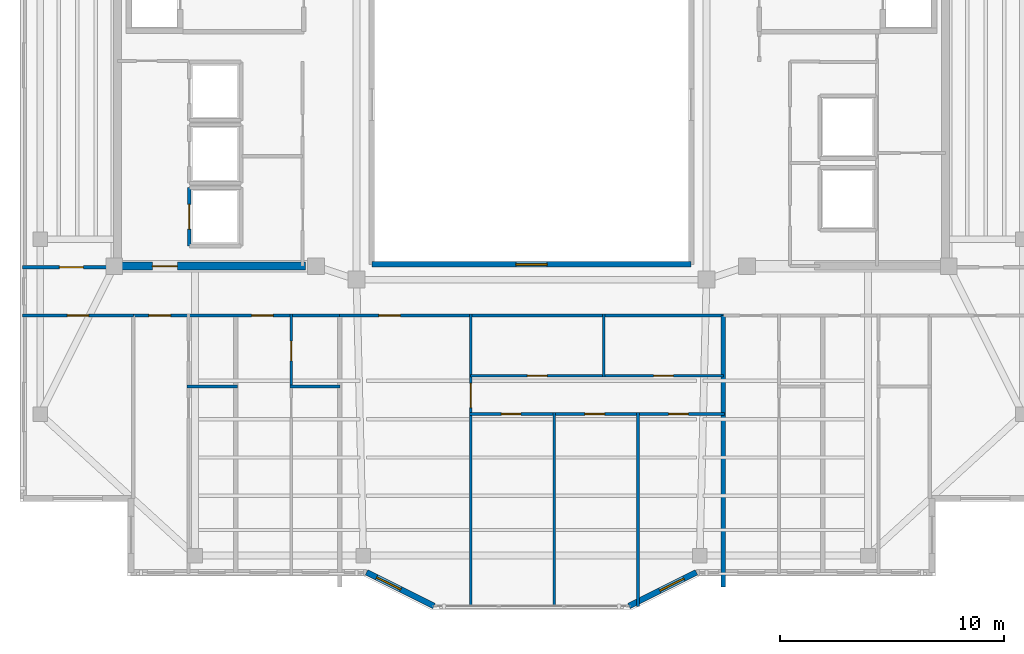
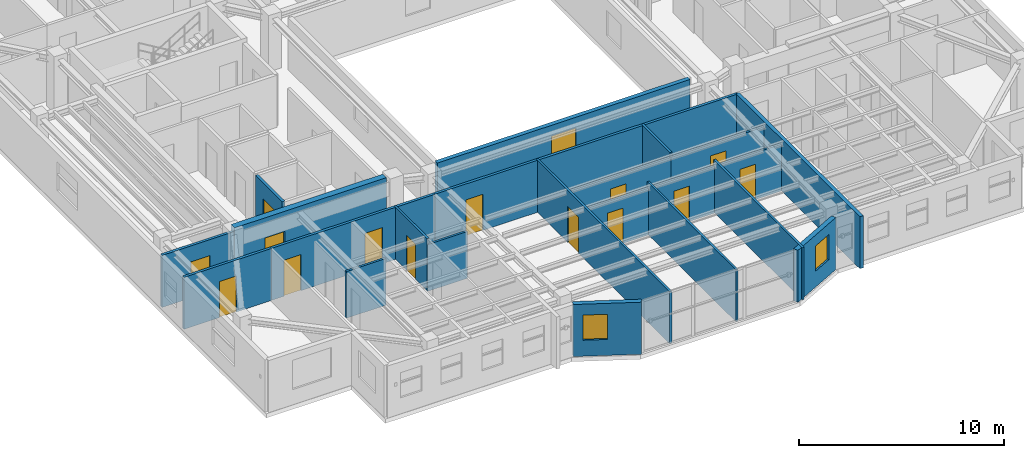
# One storey, part 6 of 14: 20 walls, 14 doors, 3 windows, 17 openings.
"""IFC4 building model written with IfcOpenShell, lengths in metres."""

import ifcopenshell
import ifcopenshell.guid

model = None  # the IFC model being written
_history = None  # IfcOwnerHistory: only IFC2X3 demands one
_inside = {}  # id of a spatial element -> (the spatial element, [elements in it])
_under = {}  # id of a project, library or spatial element -> (it, [spatial elements below it])
_declared = {}  # id of a project -> (the project, [libraries it declares])
_typed = {}  # id of a type object -> (the type object, [elements of that type])
_made_of = {}  # id of a material, layer set ... -> (it, [elements and type objects made of it])


def new_model(schema):
    """Start an empty IFC model of exactly this schema.

    Asked for "IFC4X3", IfcOpenShell would pick the latest addendum, in which some entities
    have other attributes; the version numbers below select the first issue.
    IFC2X3 requires an IfcOwnerHistory on every rooted entity: one is made here for all.
    """
    global model, _history
    if schema == "IFC4X3":
        model = ifcopenshell.file(schema_version=(4, 3, 0, 0))
    else:
        model = ifcopenshell.file(schema=schema)
    _inside.clear()
    _under.clear()
    _declared.clear()
    _typed.clear()
    _made_of.clear()
    _history = None
    if model.schema == "IFC2X3":
        org = make("IfcOrganization", Name="unknown")
        user = make(
            "IfcPersonAndOrganization",
            ThePerson=make("IfcPerson", FamilyName="unknown"),
            TheOrganization=org,
        )
        app = make(
            "IfcApplication",
            ApplicationDeveloper=org,
            Version="unknown",
            ApplicationFullName="unknown",
            ApplicationIdentifier="unknown",
        )
        _history = make(
            "IfcOwnerHistory",
            OwningUser=user,
            OwningApplication=app,
            ChangeAction="ADDED",
            CreationDate=0,
        )
    return model


def make(cls, **values):
    """One entity of the class cls with the attributes given. An attribute that is None is left unset."""
    return model.create_entity(
        cls, **{name: value for name, value in values.items() if value is not None}
    )


def rooted(cls, **values):
    """An entity with a GlobalId (a new one), such as an element, a storey or a relation."""
    return make(cls, GlobalId=ifcopenshell.guid.new(), OwnerHistory=_history, **values)


def si_unit(unit_type, name, prefix=None):
    """IfcSIUnit, for example si_unit("LENGTHUNIT", "METRE", prefix="MILLI")."""
    return make("IfcSIUnit", UnitType=unit_type, Prefix=prefix, Name=name)


def assignment(units):
    """IfcUnitAssignment: the units of a project."""
    return None if units is None else make("IfcUnitAssignment", Units=units)


def point(xyz):
    """IfcCartesianPoint."""
    return None if xyz is None else make("IfcCartesianPoint", Coordinates=xyz)


def direction(xyz):
    """IfcDirection."""
    return None if xyz is None else make("IfcDirection", DirectionRatios=xyz)


def frame(location, z_axis=None, x_axis=None):
    """IfcAxis2Placement3D, a coordinate frame: its origin and axes. An axis left out is left unset."""
    return make(
        "IfcAxis2Placement3D",
        Location=point(location),
        Axis=direction(z_axis),
        RefDirection=direction(x_axis),
    )


def frame_2d(location, x_axis=None):
    """IfcAxis2Placement2D, a coordinate frame in the plane: its origin and x axis."""
    return make(
        "IfcAxis2Placement2D", Location=point(location), RefDirection=direction(x_axis)
    )


def origin():
    """The frame at (0, 0, 0) with its axes left unset."""
    return frame((0.0, 0.0, 0.0))


def place(relative_to, where):
    """IfcLocalPlacement: puts the frame where relative to a parent placement (None: the world)."""
    return make(
        "IfcLocalPlacement", PlacementRelTo=relative_to, RelativePlacement=where
    )


def context(
    kind, dimensions, precision=None, world=None, true_north=None, identifier=None
):
    """IfcGeometricRepresentationContext, for example the 3D "Model" context."""
    return make(
        "IfcGeometricRepresentationContext",
        ContextIdentifier=identifier,
        ContextType=kind,
        CoordinateSpaceDimension=dimensions,
        Precision=precision,
        WorldCoordinateSystem=world,
        TrueNorth=true_north,
    )


def subcontext(parent, identifier, kind, view, scale=None):
    """IfcGeometricRepresentationSubContext, for example "Body" below "Model"."""
    return make(
        "IfcGeometricRepresentationSubContext",
        ContextIdentifier=identifier,
        ContextType=kind,
        ParentContext=parent,
        TargetScale=scale,
        TargetView=view,
    )


def project(units=None, contexts=None):
    """IfcProject with its units and contexts."""
    return rooted(
        "IfcProject",
        Name="project",
        RepresentationContexts=contexts,
        UnitsInContext=assignment(units),
    )


def spatial(cls, under=None, at=None, **own):
    """A site, building, storey or space (cls), placed at a placement, below another one or the project."""
    s = rooted(cls, ObjectPlacement=at, **own)
    if under is not None:
        _under.setdefault(under.id(), (under, []))[1].append(s)
    return s


def profile(cls, at=None, kind="AREA", **sizes):
    """A parametric profile (cls). Its sizes go by their IFC names, for example OverallWidth=200.0."""
    return make(cls, ProfileType=kind, Position=at, **sizes)


def rectangle(**sizes):
    """IfcRectangleProfileDef."""
    return profile("IfcRectangleProfileDef", **sizes)


def extrude(swept, where, along, depth):
    """IfcExtrudedAreaSolid: the profile swept, set in the frame where, extruded along a direction by depth."""
    return make(
        "IfcExtrudedAreaSolid",
        SweptArea=swept,
        Position=where,
        ExtrudedDirection=direction(along),
        Depth=depth,
    )


def shape(context_of_items, identifier, shape_type, items):
    """IfcShapeRepresentation: the items that make up one representation, for example the "Body"."""
    return make(
        "IfcShapeRepresentation",
        ContextOfItems=context_of_items,
        RepresentationIdentifier=identifier,
        RepresentationType=shape_type,
        Items=items,
    )


def material(Name=None, Category=None):
    """IfcMaterial."""
    return make("IfcMaterial", Name=Name, Category=Category)


def layer(
    of_material, thickness, ventilated=None, Name=None, Category=None, Priority=None
):
    """IfcMaterialLayer: one layer of a wall or slab, of a material (None: an air gap)."""
    return make(
        "IfcMaterialLayer",
        Material=of_material,
        LayerThickness=thickness,
        IsVentilated=ventilated,
        Name=Name,
        Category=Category,
        Priority=Priority,
    )


def layer_set(layers, Name=None):
    """IfcMaterialLayerSet."""
    return make("IfcMaterialLayerSet", MaterialLayers=layers, LayerSetName=Name)


def made_of(thing, what):
    """Note that an element or type object is made of a material, layer set ...; save() writes the relation."""
    if what is not None:
        _made_of.setdefault(what.id(), (what, []))[1].append(thing)
    return thing


def type_object(cls, material=None, **own):
    """A type object (cls), such as IfcWallType, which elements share."""
    return made_of(rooted(cls, **own), material)


def element(
    cls,
    number,
    at=None,
    inside=None,
    cuts=None,
    type_object=None,
    material=None,
    context=None,
    identifier="Body",
    shape_type=None,
    held_by="IfcProductDefinitionShape",
    body=None,
    shapes=None,
    **own,
):
    """One element of the class cls, such as IfcWall. Its Tag is "e" and its number.

    at: its placement. inside: the storey or other place that contains it. cuts: it is an
    opening in that element (IfcRelVoidsElement). A single representation is given by context,
    identifier, shape_type and body (its items); several are given by shapes. held_by: the class
    of the entity that holds the representations. save() writes the other relations.
    """
    e = rooted(cls, Tag="e%d" % number, ObjectPlacement=at, **own)
    if body is not None:
        shapes = [shape(context, identifier, shape_type, body)]
    if shapes is not None:
        e.Representation = make(held_by, Representations=shapes)
    if inside is not None:
        _inside.setdefault(inside.id(), (inside, []))[1].append(e)
    if cuts is not None:
        rooted(
            "IfcRelVoidsElement", RelatingBuildingElement=cuts, RelatedOpeningElement=e
        )
    if type_object is not None:
        _typed.setdefault(type_object.id(), (type_object, []))[1].append(e)
    return made_of(e, material)


def fill(opening, filler):
    """IfcRelFillsElement: the door or window that sits in an opening."""
    return rooted(
        "IfcRelFillsElement",
        RelatingOpeningElement=opening,
        RelatedBuildingElement=filler,
    )


def aggregate(whole, parts):
    """IfcRelAggregates: a whole, such as a stair, and the parts it consists of."""
    return rooted("IfcRelAggregates", RelatingObject=whole, RelatedObjects=parts)


def save(model, path):
    """Write the relations noted so far, then the file.

    IfcRelAggregates (storeys below a building ...), IfcRelContainedInSpatialStructure (elements
    in a storey), IfcRelDefinesByType, IfcRelAssociatesMaterial and IfcRelDeclares: one each for
    every whole, place, type object, material and project.
    """
    for whole, parts in _under.values():
        aggregate(whole, parts)
    for where, things in _inside.values():
        rooted(
            "IfcRelContainedInSpatialStructure",
            RelatedElements=things,
            RelatingStructure=where,
        )
    for kind, things in _typed.values():
        rooted("IfcRelDefinesByType", RelatedObjects=things, RelatingType=kind)
    for what, things in _made_of.values():
        rooted("IfcRelAssociatesMaterial", RelatedObjects=things, RelatingMaterial=what)
    for by, libraries in _declared.values():
        rooted("IfcRelDeclares", RelatingContext=by, RelatedDefinitions=libraries)
    model.write(path)


model = new_model("IFC4")

# Units and contexts
model_context = context("Model", 3, precision=1e-05, world=origin(), true_north=direction((0.0, 1.0)))
body_context = subcontext(model_context, "Body", "Model", "MODEL_VIEW")
ifc_project = project(units=[si_unit("LENGTHUNIT", "METRE"), si_unit("AREAUNIT", "SQUARE_METRE"), si_unit("VOLUMEUNIT", "CUBIC_METRE"), si_unit("PLANEANGLEUNIT", "RADIAN"), si_unit("MASSUNIT", "GRAM", prefix="KILO")], contexts=[model_context])

# Site, building, storey
site_placement = place(None, origin())
site = spatial("IfcSite", under=ifc_project, at=site_placement, CompositionType="ELEMENT")
building_placement = place(site_placement, origin())
building = spatial("IfcBuilding", under=site, at=building_placement, Name="Tarnavaz Court Tower", CompositionType="ELEMENT")
storey_placement = place(building_placement, frame((0.0, 0.0, 261.60009765625)))
storey = spatial("IfcBuildingStorey", under=building, at=storey_placement, Name="L71", CompositionType="ELEMENT", Elevation=261.60009765625)

# Wall, opening, door
ifc_material_1 = material(Name="Concrete C50/60", Category="concrete")
ifc_layer_1 = layer(ifc_material_1, 0.35009765625)
ifc_layer_set_1 = layer_set([ifc_layer_1], Name="Concrete C50/60")
wall_type_1 = type_object("IfcWallType", Name="WL-CORE-350-C50", PredefinedType="SHEAR", material=ifc_layer_set_1)
wall_1_placement = place(storey_placement, frame((-18.625, -7.199951171875, 0.0), z_axis=(0.0, 0.0, 1.0), x_axis=(1.0, 0.0, 0.0)))
wall_1 = element("IfcWall", 1, at=wall_1_placement, inside=storey, type_object=wall_type_1, Name="L71 West Core South Shear Wall 046", PredefinedType="SHEAR", context=body_context, shape_type="SweptSolid", body=[
    extrude(rectangle(XDim=8.550048828125, YDim=0.35009765625, at=frame_2d((4.27490234375, 0.0))), origin(), (0.0, 0.0, 1.0), 3.349853515625),
])
opening_1_placement = place(wall_1_placement, frame((1.72509765625, 0.0, 0.0)))
opening_1 = element("IfcOpeningElement", 2, at=opening_1_placement, cuts=wall_1, Name="Opening D04", PredefinedType="OPENING", context=body_context, shape_type="SweptSolid", body=[
    extrude(rectangle(XDim=1.1201171875, YDim=2.14990234375, at=frame_2d((0.56005859375, 1.074951171875))), frame((0.0, 0.18505859375, 0.0), z_axis=(0.0, -1.0, 0.0), x_axis=(1.0, 0.0, 0.0)), (0.0, 0.0, 1.0), 0.3701171875),
])
ifc_material_2 = material(Name="Fire-Rated Hardwood Timber Core", Category="wood")
door_type_1 = type_object("IfcDoorType", Name="DR-FD60-1100", OperationType="NOTDEFINED", PredefinedType="DOOR", material=ifc_material_2)
door_1_placement = place(opening_1_placement, origin())
door_1 = element("IfcDoor", 3, at=door_1_placement, inside=storey, type_object=door_type_1, Name="L71 West High-Rise Lift Lobby Door", OperationType="SINGLE_SWING_LEFT", OverallHeight=2.14990234375, OverallWidth=1.1201171875, PredefinedType="DOOR", context=body_context, shape_type="SweptSolid", body=[
    extrude(rectangle(XDim=1.1201171875, YDim=2.14990234375, at=frame_2d((0.56005859375, 1.074951171875))), frame((0.0, 0.02490234375, 0.0), z_axis=(0.0, -1.0, 0.0), x_axis=(1.0, 0.0, 0.0)), (0.0, 0.0, 1.0), 0.050048828125),
])
fill(opening_1, door_1)

# Wall, opening, window
ifc_material_3 = material(Name="Precast Concrete C40/50", Category="concrete")
ifc_layer_2 = layer(ifc_material_3, 0.260009765625)
ifc_layer_set_2 = layer_set([ifc_layer_2], Name="Precast Concrete C40/50")
wall_type_2 = type_object("IfcWallType", Name="WL-EXT-260", PredefinedType="SOLIDWALL", material=ifc_layer_set_2)
wall_2_placement = place(storey_placement, frame((7.35009765625, -20.85009765625, 0.0), z_axis=(0.0, 0.0, 1.0), x_axis=(-0.894427191, -0.4472135955, 0.0)))
wall_2 = element("IfcWall", 4, at=wall_2_placement, inside=storey, type_object=wall_type_2, Name="L71 Exterior Terracotta Facade Wall 16", PredefinedType="SOLIDWALL", context=body_context, shape_type="SweptSolid", body=[
    extrude(rectangle(XDim=3.35400390625, YDim=0.260009765625, at=frame_2d((1.677001953125, 0.0))), origin(), (0.0, 0.0, 1.0), 3.099853515625),
])
opening_2_placement = place(wall_2_placement, frame((0.62158203125, 0.0, 0.949951171875)))
opening_2 = element("IfcOpeningElement", 5, at=opening_2_placement, cuts=wall_2, Name="Opening W05", PredefinedType="OPENING", context=body_context, shape_type="SweptSolid", body=[
    extrude(rectangle(XDim=1.199951171875, YDim=1.5, at=frame_2d((0.60009765625, 0.75))), frame((0.0, 0.139892578125, 0.0), z_axis=(0.0, -1.0, 0.0), x_axis=(1.0, 0.0, 0.0)), (0.0, 0.0, 1.0), 0.280029296875),
])
ifc_material_4 = material(Name="Double-Glazed Solar Low-E Glass", Category="glass")
window_type_1 = type_object("IfcWindowType", Name="WN-APT-1200", PartitioningType="SINGLE_PANEL", PredefinedType="WINDOW", material=ifc_material_4)
window_1_placement = place(opening_2_placement, origin())
window_1 = element("IfcWindow", 6, at=window_1_placement, inside=storey, type_object=window_type_1, Name="L71 Flat 10 Bedroom 3 Window", OverallHeight=1.5, OverallWidth=1.199951171875, PartitioningType="SINGLE_PANEL", PredefinedType="WINDOW", context=body_context, shape_type="SweptSolid", body=[
    extrude(rectangle(XDim=1.199951171875, YDim=1.5, at=frame_2d((0.60009765625, 0.75))), frame((0.0, 0.030029296875, 0.0), z_axis=(0.0, -1.0, 0.0), x_axis=(1.0, 0.0, 0.0)), (0.0, 0.0, 1.0), 0.06005859375),
])
fill(opening_2, window_1)

wall_3_placement = place(storey_placement, frame((-4.35009765625, -22.35009765625, 0.0), z_axis=(0.0, 0.0, 1.0), x_axis=(-0.894427191, 0.4472135955, 0.0)))
wall_3 = element("IfcWall", 7, at=wall_3_placement, inside=storey, type_object=wall_type_2, Name="L71 Exterior Terracotta Facade Wall 18", PredefinedType="SOLIDWALL", context=body_context, shape_type="SweptSolid", body=[
    extrude(rectangle(XDim=3.35400390625, YDim=0.260009765625, at=frame_2d((1.677001953125, 0.0))), origin(), (0.0, 0.0, 1.0), 3.099853515625),
])
opening_3_placement = place(wall_3_placement, frame((1.65283203125, 0.0, 0.949951171875)))
opening_3 = element("IfcOpeningElement", 8, at=opening_3_placement, cuts=wall_3, Name="Opening W05", PredefinedType="OPENING", context=body_context, shape_type="SweptSolid", body=[
    extrude(rectangle(XDim=1.199951171875, YDim=1.5, at=frame_2d((0.60009765625, 0.75))), frame((0.0, 0.139892578125, 0.0), z_axis=(0.0, -1.0, 0.0), x_axis=(1.0, 0.0, 0.0)), (0.0, 0.0, 1.0), 0.280029296875),
])
window_2_placement = place(opening_3_placement, origin())
window_2 = element("IfcWindow", 9, at=window_2_placement, inside=storey, type_object=window_type_1, Name="L71 Flat 10 Living and Dining Room Window", OverallHeight=1.5, OverallWidth=1.199951171875, PartitioningType="SINGLE_PANEL", PredefinedType="WINDOW", context=body_context, shape_type="SweptSolid", body=[
    extrude(rectangle(XDim=1.199951171875, YDim=1.5, at=frame_2d((0.60009765625, 0.75))), frame((0.0, 0.030029296875, 0.0), z_axis=(0.0, -1.0, 0.0), x_axis=(1.0, 0.0, 0.0)), (0.0, 0.0, 1.0), 0.06005859375),
])
fill(opening_3, window_2)

# Wall, openings, doors
ifc_material_5 = material(Name="Gypsum Fire-Board on Acoustic Metal Stud", Category="masonry")
ifc_layer_3 = layer(ifc_material_5, 0.14990234375)
ifc_layer_set_3 = layer_set([ifc_layer_3], Name="Gypsum Fire-Board on Acoustic Metal Stud")
wall_type_3 = type_object("IfcWallType", Name="WL-FIRE-150", PredefinedType="PARTITIONING", material=ifc_layer_set_3)
wall_4_placement = place(storey_placement, frame((-17.75, -9.39990234375, 0.0), z_axis=(0.0, 0.0, 1.0), x_axis=(1.0, 0.0, 0.0)))
wall_4 = element("IfcWall", 10, at=wall_4_placement, inside=storey, type_object=wall_type_3, Name="L71 SW Lobby Wall 062", PredefinedType="PARTITIONING", context=body_context, shape_type="SweptSolid", body=[
    extrude(rectangle(XDim=9.199951171875, YDim=0.14990234375, at=frame_2d((4.60009765625, 0.0))), origin(), (0.0, 0.0, 1.0), 3.099853515625),
])
opening_4_placement = place(wall_4_placement, frame((0.699951171875, 0.0, 0.0)))
opening_4 = element("IfcOpeningElement", 11, at=opening_4_placement, cuts=wall_4, Name="Opening D06", PredefinedType="OPENING", context=body_context, shape_type="SweptSolid", body=[
    extrude(rectangle(XDim=0.9599609375, YDim=2.14990234375, at=frame_2d((0.47998046875, 1.074951171875))), frame((0.0, 0.0849609375, 0.0), z_axis=(0.0, -1.0, 0.0), x_axis=(1.0, 0.0, 0.0)), (0.0, 0.0, 1.0), 0.169921875),
])
opening_5_placement = place(wall_4_placement, frame((5.27490234375, 0.0, 0.0)))
opening_5 = element("IfcOpeningElement", 12, at=opening_5_placement, cuts=wall_4, Name="Opening D06", PredefinedType="OPENING", context=body_context, shape_type="SweptSolid", body=[
    extrude(rectangle(XDim=0.9599609375, YDim=2.14990234375, at=frame_2d((0.47998046875, 1.074951171875))), frame((0.0, 0.0849609375, 0.0), z_axis=(0.0, -1.0, 0.0), x_axis=(1.0, 0.0, 0.0)), (0.0, 0.0, 1.0), 0.169921875),
])
door_type_2 = type_object("IfcDoorType", Name="DR-FD60-950", OperationType="NOTDEFINED", PredefinedType="DOOR", material=ifc_material_2)
door_2_placement = place(opening_4_placement, origin())
door_2 = element("IfcDoor", 13, at=door_2_placement, inside=storey, type_object=door_type_2, Name="L71 Flat 06 Entrance Door", OperationType="SINGLE_SWING_LEFT", OverallHeight=2.14990234375, OverallWidth=0.9599609375, PredefinedType="DOOR", context=body_context, shape_type="SweptSolid", body=[
    extrude(rectangle(XDim=0.9599609375, YDim=2.14990234375, at=frame_2d((0.47998046875, 1.074951171875))), frame((0.0, 0.02490234375, 0.0), z_axis=(0.0, -1.0, 0.0), x_axis=(1.0, 0.0, 0.0)), (0.0, 0.0, 1.0), 0.050048828125),
])
fill(opening_4, door_2)
door_3_placement = place(opening_5_placement, origin())
door_3 = element("IfcDoor", 14, at=door_3_placement, inside=storey, type_object=door_type_2, Name="L71 Flat 07 Entrance Door", OperationType="SINGLE_SWING_RIGHT", OverallHeight=2.14990234375, OverallWidth=0.9599609375, PredefinedType="DOOR", context=body_context, shape_type="SweptSolid", body=[
    extrude(rectangle(XDim=0.9599609375, YDim=2.14990234375, at=frame_2d((0.47998046875, 1.074951171875))), frame((0.0, 0.02490234375, 0.0), z_axis=(0.0, -1.0, 0.0), x_axis=(1.0, 0.0, 0.0)), (0.0, 0.0, 1.0), 0.050048828125),
])
fill(opening_5, door_3)

# Wall, opening, door
wall_5_placement = place(storey_placement, frame((-8.550048828125, -9.39990234375, 0.0), z_axis=(0.0, 0.0, 1.0), x_axis=(1.0, 0.0, 0.0)))
wall_5 = element("IfcWall", 15, at=wall_5_placement, inside=storey, type_object=wall_type_3, Name="L71 Interior Partition 105", PredefinedType="PARTITIONING", context=body_context, shape_type="SweptSolid", body=[
    extrude(rectangle(XDim=17.10009765625, YDim=0.14990234375, at=frame_2d((8.550048828125, 0.0))), origin(), (0.0, 0.0, 1.0), 3.099853515625),
])
opening_6_placement = place(wall_5_placement, frame((1.75, 0.0, 0.0)))
opening_6 = element("IfcOpeningElement", 16, at=opening_6_placement, cuts=wall_5, Name="Opening D06", PredefinedType="OPENING", context=body_context, shape_type="SweptSolid", body=[
    extrude(rectangle(XDim=0.9599609375, YDim=2.14990234375, at=frame_2d((0.47998046875, 1.074951171875))), frame((0.0, 0.0849609375, 0.0), z_axis=(0.0, -1.0, 0.0), x_axis=(1.0, 0.0, 0.0)), (0.0, 0.0, 1.0), 0.169921875),
])
door_4_placement = place(opening_6_placement, origin())
door_4 = element("IfcDoor", 17, at=door_4_placement, inside=storey, type_object=door_type_2, Name="L71 Flat 10 Entrance Door", OperationType="SINGLE_SWING_LEFT", OverallHeight=2.14990234375, OverallWidth=0.9599609375, PredefinedType="DOOR", context=body_context, shape_type="SweptSolid", body=[
    extrude(rectangle(XDim=0.9599609375, YDim=2.14990234375, at=frame_2d((0.47998046875, 1.074951171875))), frame((0.0, 0.02490234375, 0.0), z_axis=(0.0, -1.0, 0.0), x_axis=(1.0, 0.0, 0.0)), (0.0, 0.0, 1.0), 0.050048828125),
])
fill(opening_6, door_4)

wall_6_placement = place(storey_placement, frame((-22.679931640625, -7.25, 0.0), z_axis=(0.0, 0.0, 1.0), x_axis=(1.0, 0.0, 0.0)))
wall_6 = element("IfcWall", 18, at=wall_6_placement, inside=storey, type_object=wall_type_3, Name="L71 Interior Partition 113", PredefinedType="PARTITIONING", context=body_context, shape_type="SweptSolid", body=[
    extrude(rectangle(XDim=4.22998046875, YDim=0.14990234375, at=frame_2d((2.114990234375, 0.0))), origin(), (0.0, 0.0, 1.0), 3.099853515625),
])
opening_7_placement = place(wall_6_placement, frame((1.6298828125, 0.0, 0.0)))
opening_7 = element("IfcOpeningElement", 19, at=opening_7_placement, cuts=wall_6, Name="Opening D12", PredefinedType="OPENING", context=body_context, shape_type="SweptSolid", body=[
    extrude(rectangle(XDim=1.080078125, YDim=2.14990234375, at=frame_2d((0.5400390625, 1.074951171875))), frame((0.0, 0.0849609375, 0.0), z_axis=(0.0, -1.0, 0.0), x_axis=(1.0, 0.0, 0.0)), (0.0, 0.0, 1.0), 0.169921875),
])
ifc_material_6 = material(Name="Engineered Oak Timber", Category="wood")
door_type_3 = type_object("IfcDoorType", Name="DR-INT-1100", OperationType="NOTDEFINED", PredefinedType="DOOR", material=ifc_material_6)
door_5_placement = place(opening_7_placement, origin())
door_5 = element("IfcDoor", 20, at=door_5_placement, inside=storey, type_object=door_type_3, Name="L71 West Study Gallery Door", OperationType="SINGLE_SWING_RIGHT", OverallHeight=2.14990234375, OverallWidth=1.080078125, PredefinedType="DOOR", context=body_context, shape_type="SweptSolid", body=[
    extrude(rectangle(XDim=1.080078125, YDim=2.14990234375, at=frame_2d((0.5400390625, 1.074951171875))), frame((0.0, 0.02490234375, 0.0), z_axis=(0.0, -1.0, 0.0), x_axis=(1.0, 0.0, 0.0)), (0.0, 0.0, 1.0), 0.050048828125),
])
fill(opening_7, door_5)

wall_7_placement = place(storey_placement, frame((-22.679931640625, -9.39990234375, 0.0), z_axis=(0.0, 0.0, 1.0), x_axis=(1.0, 0.0, 0.0)))
wall_7 = element("IfcWall", 21, at=wall_7_placement, inside=storey, type_object=wall_type_3, Name="L71 Interior Partition 123", PredefinedType="PARTITIONING", context=body_context, shape_type="SweptSolid", body=[
    extrude(rectangle(XDim=4.929931640625, YDim=0.14990234375, at=frame_2d((2.46484375, 0.0))), origin(), (0.0, 0.0, 1.0), 3.099853515625),
])
opening_8_placement = place(wall_7_placement, frame((1.989990234375, 0.0, 0.0)))
opening_8 = element("IfcOpeningElement", 22, at=opening_8_placement, cuts=wall_7, Name="Opening D13", PredefinedType="OPENING", context=body_context, shape_type="SweptSolid", body=[
    extrude(rectangle(XDim=0.949951171875, YDim=2.14990234375, at=frame_2d((0.47509765625, 1.074951171875))), frame((0.0, 0.0849609375, 0.0), z_axis=(0.0, -1.0, 0.0), x_axis=(1.0, 0.0, 0.0)), (0.0, 0.0, 1.0), 0.169921875),
])
door_type_4 = type_object("IfcDoorType", Name="DR-INT-950", OperationType="NOTDEFINED", PredefinedType="DOOR", material=ifc_material_6)
door_6_placement = place(opening_8_placement, origin())
door_6 = element("IfcDoor", 23, at=door_6_placement, inside=storey, type_object=door_type_4, Name="L71 SW Reading Room Door", OperationType="SINGLE_SWING_RIGHT", OverallHeight=2.14990234375, OverallWidth=0.949951171875, PredefinedType="DOOR", context=body_context, shape_type="SweptSolid", body=[
    extrude(rectangle(XDim=0.949951171875, YDim=2.14990234375, at=frame_2d((0.47509765625, 1.074951171875))), frame((0.0, 0.02490234375, 0.0), z_axis=(0.0, -1.0, 0.0), x_axis=(1.0, 0.0, 0.0)), (0.0, 0.0, 1.0), 0.050048828125),
])
fill(opening_8, door_6)

# Walls
ifc_material_7 = material(Name="Autoclaved Aerated Concrete Blockwork", Category="masonry")
ifc_layer_4 = layer(ifc_material_7, 0.199951171875)
ifc_layer_set_4 = layer_set([ifc_layer_4], Name="Autoclaved Aerated Concrete Blockwork")
wall_type_4 = type_object("IfcWallType", Name="WL-FIRE-200", PredefinedType="SOLIDWALL", material=ifc_layer_set_4)
wall_8_placement = place(storey_placement, frame((8.550048828125, -21.50390625, 0.0), z_axis=(0.0, 0.0, 1.0), x_axis=(0.0, 1.0, 0.0)))
element("IfcWall", 24, at=wall_8_placement, inside=storey, type_object=wall_type_4, Name="L71 Party Wall 104", PredefinedType="SOLIDWALL", context=body_context, shape_type="SweptSolid", body=[
    extrude(rectangle(XDim=12.10400390625, YDim=0.199951171875, at=frame_2d((6.052001953125, 0.0))), origin(), (0.0, 0.0, 1.0), 3.099853515625),
])
ifc_material_8 = material(Name="Moisture-Resistant Gypsum Board Partition", Category="masonry")
ifc_layer_5 = layer(ifc_material_8, 0.1201171875)
ifc_layer_set_5 = layer_set([ifc_layer_5], Name="Moisture-Resistant Gypsum Board Partition")
wall_type_5 = type_object("IfcWallType", Name="WL-PART-120", PredefinedType="PARTITIONING", material=ifc_layer_set_5)
wall_9_placement = place(storey_placement, frame((-15.35009765625, -12.56005859375, 0.0), z_axis=(0.0, 0.0, 1.0), x_axis=(1.0, 0.0, 0.0)))
element("IfcWall", 25, at=wall_9_placement, inside=storey, type_object=wall_type_5, Name="L71 Interior Partition 092", PredefinedType="PARTITIONING", context=body_context, shape_type="SweptSolid", body=[
    extrude(rectangle(XDim=2.235107421875, YDim=0.1201171875, at=frame_2d((1.11767578125, 0.0))), origin(), (0.0, 0.0, 1.0), 2.784912109375),
])

# Wall, opening, door
wall_10_placement = place(storey_placement, frame((-10.715087890625, -12.56005859375, 0.0), z_axis=(0.0, 0.0, 1.0), x_axis=(0.0, 1.0, 0.0)))
wall_10 = element("IfcWall", 26, at=wall_10_placement, inside=storey, type_object=wall_type_5, Name="L71 Interior Partition 094", PredefinedType="PARTITIONING", context=body_context, shape_type="SweptSolid", body=[
    extrude(rectangle(XDim=3.219970703125, YDim=0.1201171875, at=frame_2d((1.60986328125, 0.0))), origin(), (0.0, 0.0, 1.0), 3.099853515625),
])
opening_9_placement = place(wall_10_placement, frame((1.139892578125, 0.0, 0.0)))
opening_9 = element("IfcOpeningElement", 27, at=opening_9_placement, cuts=wall_10, Name="Opening D14", PredefinedType="OPENING", context=body_context, shape_type="SweptSolid", body=[
    extrude(rectangle(XDim=0.8798828125, YDim=2.10009765625, at=frame_2d((0.43994140625, 1.050048828125))), frame((0.0, 0.070068359375, 0.0), z_axis=(0.0, -1.0, 0.0), x_axis=(1.0, 0.0, 0.0)), (0.0, 0.0, 1.0), 0.14013671875),
])
door_type_5 = type_object("IfcDoorType", Name="DR-INT-900", OperationType="NOTDEFINED", PredefinedType="DOOR", material=ifc_material_6)
door_7_placement = place(opening_9_placement, origin())
door_7 = element("IfcDoor", 28, at=door_7_placement, inside=storey, type_object=door_type_5, Name="L71 Flat 07 Bathroom Door", OperationType="SINGLE_SWING_RIGHT", OverallHeight=2.10009765625, OverallWidth=0.8798828125, PredefinedType="DOOR", context=body_context, shape_type="SweptSolid", body=[
    extrude(rectangle(XDim=0.8798828125, YDim=2.10009765625, at=frame_2d((0.43994140625, 1.050048828125))), frame((0.0, 0.02490234375, 0.0), z_axis=(0.0, -1.0, 0.0), x_axis=(1.0, 0.0, 0.0)), (0.0, 0.0, 1.0), 0.050048828125),
])
fill(opening_9, door_7)

# Wall
wall_11_placement = place(storey_placement, frame((-10.77490234375, -12.56005859375, 0.0), z_axis=(0.0, 0.0, 1.0), x_axis=(1.0, 0.0, 0.0)))
element("IfcWall", 29, at=wall_11_placement, inside=storey, type_object=wall_type_5, Name="L71 Interior Partition 095", PredefinedType="PARTITIONING", context=body_context, shape_type="SweptSolid", body=[
    extrude(rectangle(XDim=2.23486328125, YDim=0.1201171875, at=frame_2d((1.117431640625, 0.0))), origin(), (0.0, 0.0, 1.0), 2.784912109375),
])

# Wall, opening, door
wall_12_placement = place(storey_placement, frame((-2.714111328125, -22.3798828125, 0.0), z_axis=(0.0, 0.0, 1.0), x_axis=(0.0, 1.0, 0.0)))
wall_12 = element("IfcWall", 30, at=wall_12_placement, inside=storey, type_object=wall_type_5, Name="L71 Interior Partition 106", PredefinedType="PARTITIONING", context=body_context, shape_type="SweptSolid", body=[
    extrude(rectangle(XDim=13.039794921875, YDim=0.1201171875, at=frame_2d((6.52001953125, 0.0))), origin(), (0.0, 0.0, 1.0), 3.099853515625),
])
opening_10_placement = place(wall_12_placement, frame((8.875, 0.0, 0.0)))
opening_10 = element("IfcOpeningElement", 31, at=opening_10_placement, cuts=wall_12, Name="Opening D12", PredefinedType="OPENING", context=body_context, shape_type="SweptSolid", body=[
    extrude(rectangle(XDim=1.080078125, YDim=2.14990234375, at=frame_2d((0.5400390625, 1.074951171875))), frame((0.0, 0.070068359375, 0.0), z_axis=(0.0, -1.0, 0.0), x_axis=(1.0, 0.0, 0.0)), (0.0, 0.0, 1.0), 0.14013671875),
])
door_8_placement = place(opening_10_placement, origin())
door_8 = element("IfcDoor", 32, at=door_8_placement, inside=storey, type_object=door_type_3, Name="L71 Flat 10 Foyer Door", OperationType="SINGLE_SWING_RIGHT", OverallHeight=2.14990234375, OverallWidth=1.080078125, PredefinedType="DOOR", context=body_context, shape_type="SweptSolid", body=[
    extrude(rectangle(XDim=1.080078125, YDim=2.14990234375, at=frame_2d((0.5400390625, 1.074951171875))), frame((0.0, 0.02490234375, 0.0), z_axis=(0.0, -1.0, 0.0), x_axis=(1.0, 0.0, 0.0)), (0.0, 0.0, 1.0), 0.050048828125),
])
fill(opening_10, door_8)

wall_13_placement = place(storey_placement, frame((-2.714111328125, -12.080078125, 0.0), z_axis=(0.0, 0.0, 1.0), x_axis=(1.0, 0.0, 0.0)))
wall_13 = element("IfcWall", 33, at=wall_13_placement, inside=storey, type_object=wall_type_5, Name="L71 Interior Partition 107", PredefinedType="PARTITIONING", context=body_context, shape_type="SweptSolid", body=[
    extrude(rectangle(XDim=5.93310546875, YDim=0.1201171875, at=frame_2d((2.966552734375, 0.0))), origin(), (0.0, 0.0, 1.0), 2.784912109375),
])
opening_11_placement = place(wall_13_placement, frame((2.52587890625, 0.0, 0.0)))
opening_11 = element("IfcOpeningElement", 34, at=opening_11_placement, cuts=wall_13, Name="Opening D14", PredefinedType="OPENING", context=body_context, shape_type="SweptSolid", body=[
    extrude(rectangle(XDim=0.8798828125, YDim=2.10009765625, at=frame_2d((0.43994140625, 1.050048828125))), frame((0.0, 0.070068359375, 0.0), z_axis=(0.0, -1.0, 0.0), x_axis=(1.0, 0.0, 0.0)), (0.0, 0.0, 1.0), 0.14013671875),
])
door_9_placement = place(opening_11_placement, origin())
door_9 = element("IfcDoor", 35, at=door_9_placement, inside=storey, type_object=door_type_5, Name="L71 Flat 10 Kitchen Door", OperationType="SINGLE_SWING_LEFT", OverallHeight=2.10009765625, OverallWidth=0.8798828125, PredefinedType="DOOR", context=body_context, shape_type="SweptSolid", body=[
    extrude(rectangle(XDim=0.8798828125, YDim=2.10009765625, at=frame_2d((0.43994140625, 1.050048828125))), frame((0.0, 0.02490234375, 0.0), z_axis=(0.0, -1.0, 0.0), x_axis=(1.0, 0.0, 0.0)), (0.0, 0.0, 1.0), 0.050048828125),
])
fill(opening_11, door_9)

wall_14_placement = place(storey_placement, frame((3.218994140625, -12.080078125, 0.0), z_axis=(0.0, 0.0, 1.0), x_axis=(1.0, 0.0, 0.0)))
wall_14 = element("IfcWall", 36, at=wall_14_placement, inside=storey, type_object=wall_type_5, Name="L71 Interior Partition 108", PredefinedType="PARTITIONING", context=body_context, shape_type="SweptSolid", body=[
    extrude(rectangle(XDim=5.3310546875, YDim=0.1201171875, at=frame_2d((2.66552734375, 0.0))), origin(), (0.0, 0.0, 1.0), 2.784912109375),
])
opening_12_placement = place(wall_14_placement, frame((2.22607421875, 0.0, 0.0)))
opening_12 = element("IfcOpeningElement", 37, at=opening_12_placement, cuts=wall_14, Name="Opening D14", PredefinedType="OPENING", context=body_context, shape_type="SweptSolid", body=[
    extrude(rectangle(XDim=0.8798828125, YDim=2.10009765625, at=frame_2d((0.43994140625, 1.050048828125))), frame((0.0, 0.070068359375, 0.0), z_axis=(0.0, -1.0, 0.0), x_axis=(1.0, 0.0, 0.0)), (0.0, 0.0, 1.0), 0.14013671875),
])
door_10_placement = place(opening_12_placement, origin())
door_10 = element("IfcDoor", 38, at=door_10_placement, inside=storey, type_object=door_type_5, Name="L71 Flat 10 Bathroom Door", OperationType="SINGLE_SWING_RIGHT", OverallHeight=2.10009765625, OverallWidth=0.8798828125, PredefinedType="DOOR", context=body_context, shape_type="SweptSolid", body=[
    extrude(rectangle(XDim=0.8798828125, YDim=2.10009765625, at=frame_2d((0.43994140625, 1.050048828125))), frame((0.0, 0.02490234375, 0.0), z_axis=(0.0, -1.0, 0.0), x_axis=(1.0, 0.0, 0.0)), (0.0, 0.0, 1.0), 0.050048828125),
])
fill(opening_12, door_10)

# Wall, openings, doors
wall_15_placement = place(storey_placement, frame((-2.77392578125, -13.7900390625, 0.0), z_axis=(0.0, 0.0, 1.0), x_axis=(1.0, 0.0, 0.0)))
wall_15 = element("IfcWall", 39, at=wall_15_placement, inside=storey, type_object=wall_type_5, Name="L71 Interior Partition 109", PredefinedType="PARTITIONING", context=body_context, shape_type="SweptSolid", body=[
    extrude(rectangle(XDim=11.384033203125, YDim=0.1201171875, at=frame_2d((5.69189453125, 0.0))), origin(), (0.0, 0.0, 1.0), 2.784912109375),
])
opening_13_placement = place(wall_15_placement, frame((1.426025390625, 0.0, 0.0)))
opening_13 = element("IfcOpeningElement", 40, at=opening_13_placement, cuts=wall_15, Name="Opening D14", PredefinedType="OPENING", context=body_context, shape_type="SweptSolid", body=[
    extrude(rectangle(XDim=0.8798828125, YDim=2.10009765625, at=frame_2d((0.43994140625, 1.050048828125))), frame((0.0, 0.070068359375, 0.0), z_axis=(0.0, -1.0, 0.0), x_axis=(1.0, 0.0, 0.0)), (0.0, 0.0, 1.0), 0.14013671875),
])
opening_14_placement = place(wall_15_placement, frame((5.156982421875, 0.0, 0.0)))
opening_14 = element("IfcOpeningElement", 41, at=opening_14_placement, cuts=wall_15, Name="Opening D14", PredefinedType="OPENING", context=body_context, shape_type="SweptSolid", body=[
    extrude(rectangle(XDim=0.8798828125, YDim=2.10009765625, at=frame_2d((0.43994140625, 1.050048828125))), frame((0.0, 0.070068359375, 0.0), z_axis=(0.0, -1.0, 0.0), x_axis=(1.0, 0.0, 0.0)), (0.0, 0.0, 1.0), 0.14013671875),
])
opening_15_placement = place(wall_15_placement, frame((8.887939453125, 0.0, 0.0)))
opening_15 = element("IfcOpeningElement", 42, at=opening_15_placement, cuts=wall_15, Name="Opening D14", PredefinedType="OPENING", context=body_context, shape_type="SweptSolid", body=[
    extrude(rectangle(XDim=0.8798828125, YDim=2.10009765625, at=frame_2d((0.43994140625, 1.050048828125))), frame((0.0, 0.070068359375, 0.0), z_axis=(0.0, -1.0, 0.0), x_axis=(1.0, 0.0, 0.0)), (0.0, 0.0, 1.0), 0.14013671875),
])
door_11_placement = place(opening_13_placement, origin())
door_11 = element("IfcDoor", 43, at=door_11_placement, inside=storey, type_object=door_type_5, Name="L71 Flat 10 Bedroom 1 Door", OperationType="SINGLE_SWING_LEFT", OverallHeight=2.10009765625, OverallWidth=0.8798828125, PredefinedType="DOOR", context=body_context, shape_type="SweptSolid", body=[
    extrude(rectangle(XDim=0.8798828125, YDim=2.10009765625, at=frame_2d((0.43994140625, 1.050048828125))), frame((0.0, 0.02490234375, 0.0), z_axis=(0.0, -1.0, 0.0), x_axis=(1.0, 0.0, 0.0)), (0.0, 0.0, 1.0), 0.050048828125),
])
fill(opening_13, door_11)
door_12_placement = place(opening_14_placement, origin())
door_12 = element("IfcDoor", 44, at=door_12_placement, inside=storey, type_object=door_type_5, Name="L71 Flat 10 Bedroom 2 Door", OperationType="SINGLE_SWING_RIGHT", OverallHeight=2.10009765625, OverallWidth=0.8798828125, PredefinedType="DOOR", context=body_context, shape_type="SweptSolid", body=[
    extrude(rectangle(XDim=0.8798828125, YDim=2.10009765625, at=frame_2d((0.43994140625, 1.050048828125))), frame((0.0, 0.02490234375, 0.0), z_axis=(0.0, -1.0, 0.0), x_axis=(1.0, 0.0, 0.0)), (0.0, 0.0, 1.0), 0.050048828125),
])
fill(opening_14, door_12)
door_13_placement = place(opening_15_placement, origin())
door_13 = element("IfcDoor", 45, at=door_13_placement, inside=storey, type_object=door_type_5, Name="L71 Flat 10 Bedroom 3 Door", OperationType="SINGLE_SWING_LEFT", OverallHeight=2.10009765625, OverallWidth=0.8798828125, PredefinedType="DOOR", context=body_context, shape_type="SweptSolid", body=[
    extrude(rectangle(XDim=0.8798828125, YDim=2.10009765625, at=frame_2d((0.43994140625, 1.050048828125))), frame((0.0, 0.02490234375, 0.0), z_axis=(0.0, -1.0, 0.0), x_axis=(1.0, 0.0, 0.0)), (0.0, 0.0, 1.0), 0.050048828125),
])
fill(opening_15, door_13)

# Walls
wall_16_placement = place(storey_placement, frame((3.218994140625, -12.139892578125, 0.0), z_axis=(0.0, 0.0, 1.0), x_axis=(0.0, 1.0, 0.0)))
element("IfcWall", 46, at=wall_16_placement, inside=storey, type_object=wall_type_5, Name="L71 Interior Partition 110", PredefinedType="PARTITIONING", context=body_context, shape_type="SweptSolid", body=[
    extrude(rectangle(XDim=2.7998046875, YDim=0.1201171875, at=frame_2d((1.39990234375, 0.0))), origin(), (0.0, 0.0, 1.0), 3.099853515625),
])
for number, where, z_axis, x_axis, name in (
    (47, (1.01708984375, -22.3798828125, 0.0), (0.0, 0.0, 1.0), (0.0, 1.0, 0.0), "L71 Interior Partition 111"),
    (48, (4.7490234375, -22.3798828125, 0.0), (0.0, 0.0, 1.0), (0.0, 1.0, 0.0), "L71 Interior Partition 112"),
):
    element("IfcWall", number, at=place(storey_placement, frame(where, z_axis=z_axis, x_axis=x_axis)), inside=storey, type_object=wall_type_5, Name=name, PredefinedType="PARTITIONING", context=body_context, shape_type="SweptSolid", body=[
        extrude(rectangle(XDim=8.64990234375, YDim=0.1201171875, at=frame_2d((4.324951171875, 0.0))), origin(), (0.0, 0.0, 1.0), 3.099853515625),
    ])

# Wall, opening, door
ifc_layer_6 = layer(ifc_material_7, 0.159912109375)
ifc_layer_set_6 = layer_set([ifc_layer_6], Name="Autoclaved Aerated Concrete Blockwork")
wall_type_6 = type_object("IfcWallType", Name="WL-SHAFT-150", PredefinedType="SOLIDWALL", material=ifc_layer_set_6)
wall_17_placement = place(storey_placement, frame((-15.25, -6.300048828125, 0.0), z_axis=(0.0, 0.0, 1.0), x_axis=(0.0, 1.0, 0.0)))
wall_17 = element("IfcWall", 49, at=wall_17_placement, inside=storey, type_object=wall_type_6, Name="L71 Lift PL-H1 Shaft Wall 021", PredefinedType="SOLIDWALL", context=body_context, shape_type="SweptSolid", body=[
    extrude(rectangle(XDim=2.60009765625, YDim=0.159912109375, at=frame_2d((1.300048828125, 0.0))), origin(), (0.0, 0.0, 1.0), 3.099853515625),
])
opening_16_placement = place(wall_17_placement, frame((0.75, 0.0, 0.0)))
opening_16 = element("IfcOpeningElement", 50, at=opening_16_placement, cuts=wall_17, Name="Opening LD1", PredefinedType="OPENING", context=body_context, shape_type="SweptSolid", body=[
    extrude(rectangle(XDim=1.10009765625, YDim=2.14990234375, at=frame_2d((0.550048828125, 1.074951171875))), frame((0.0, 0.08984375, 0.0), z_axis=(0.0, -1.0, 0.0), x_axis=(1.0, 0.0, 0.0)), (0.0, 0.0, 1.0), 0.179931640625),
])
ifc_material_9 = material(Name="Stainless Steel", Category="steel")
door_type_6 = type_object("IfcDoorType", Name="DR-LD-1100", OperationType="NOTDEFINED", PredefinedType="DOOR", material=ifc_material_9)
door_14_placement = place(opening_16_placement, origin())
door_14 = element("IfcDoor", 51, at=door_14_placement, inside=storey, type_object=door_type_6, Name="L71 Lift Landing Door LD-PL-H1", OperationType="SLIDING_TO_LEFT", OverallHeight=2.14990234375, OverallWidth=1.10009765625, PredefinedType="DOOR", context=body_context, shape_type="SweptSolid", body=[
    extrude(rectangle(XDim=1.10009765625, YDim=2.14990234375, at=frame_2d((0.550048828125, 1.074951171875))), frame((0.0, 0.02490234375, 0.0), z_axis=(0.0, -1.0, 0.0), x_axis=(1.0, 0.0, 0.0)), (0.0, 0.0, 1.0), 0.050048828125),
])
fill(opening_16, door_14)

# Wall, opening, window
ifc_layer_7 = layer(ifc_material_3, 0.239990234375)
ifc_layer_set_7 = layer_set([ifc_layer_7], Name="Precast Concrete C40/50")
wall_type_7 = type_object("IfcWallType", Name="WL-WELL-240", PredefinedType="SOLIDWALL", material=ifc_layer_set_7)
wall_18_placement = place(storey_placement, frame((-7.1201171875, -7.1201171875, 0.0), z_axis=(0.0, 0.0, 1.0), x_axis=(1.0, 0.0, 0.0)))
wall_18 = element("IfcWall", 52, at=wall_18_placement, inside=storey, type_object=wall_type_7, Name="L71 Badgir Light-Well Exterior Wall S", PredefinedType="SOLIDWALL", context=body_context, shape_type="SweptSolid", body=[
    extrude(rectangle(XDim=14.240234375, YDim=0.239990234375, at=frame_2d((7.1201171875, 0.0))), origin(), (0.0, 0.0, 1.0), 3.099853515625),
])
opening_17_placement = place(wall_18_placement, frame((6.419921875, 0.0, 0.949951171875)))
opening_17 = element("IfcOpeningElement", 53, at=opening_17_placement, cuts=wall_18, Name="Opening W13", PredefinedType="OPENING", context=body_context, shape_type="SweptSolid", body=[
    extrude(rectangle(XDim=1.39990234375, YDim=1.5, at=frame_2d((0.699951171875, 0.75))), frame((0.0, 0.1298828125, 0.0), z_axis=(0.0, -1.0, 0.0), x_axis=(1.0, 0.0, 0.0)), (0.0, 0.0, 1.0), 0.260009765625),
])
window_type_2 = type_object("IfcWindowType", Name="WN-WEL-1400", PartitioningType="SINGLE_PANEL", PredefinedType="WINDOW", material=ifc_material_4)
window_3_placement = place(opening_17_placement, origin())
window_3 = element("IfcWindow", 54, at=window_3_placement, inside=storey, type_object=window_type_2, Name="L71 Courtyard Gallery Window S", OverallHeight=1.5, OverallWidth=1.39990234375, PartitioningType="SINGLE_PANEL", PredefinedType="WINDOW", context=body_context, shape_type="SweptSolid", body=[
    extrude(rectangle(XDim=1.39990234375, YDim=1.5, at=frame_2d((0.699951171875, 0.75))), frame((0.0, 0.030029296875, 0.0), z_axis=(0.0, -1.0, 0.0), x_axis=(1.0, 0.0, 0.0)), (0.0, 0.0, 1.0), 0.06005859375),
])
fill(opening_17, window_3)

save(model, "model.ifc")
